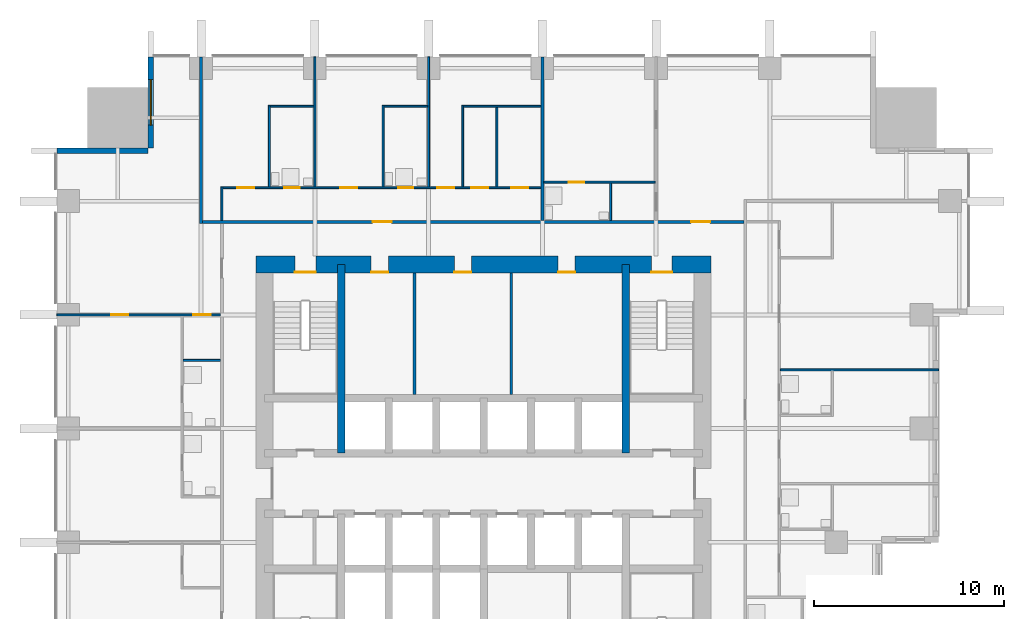
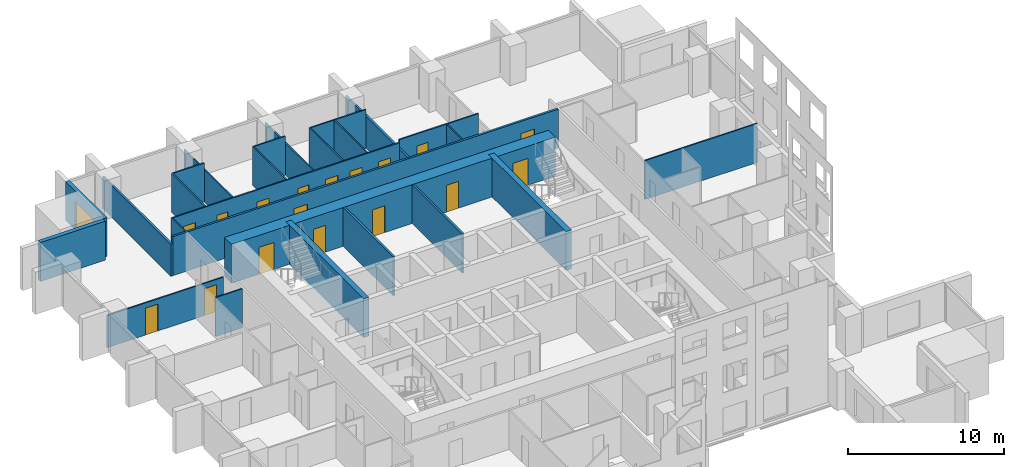
# One storey, part 7 of 11: 26 walls, 17 doors, 1 window, 18 openings.
"""IFC4 building model written with IfcOpenShell, lengths in metres."""

from ifc_helpers import new_model, si_unit, direction, frame, frame_2d, origin, place, context, subcontext, project, spatial, rectangle, extrude, material, layer, layer_set, type_object, element, fill, save


model = new_model("IFC4")

# Units and contexts
model_context = context("Model", 3, precision=1e-05, world=origin(), true_north=direction((0.0, 1.0)))
body_context = subcontext(model_context, "Body", "Model", "MODEL_VIEW")
ifc_project = project(units=[si_unit("LENGTHUNIT", "METRE"), si_unit("AREAUNIT", "SQUARE_METRE"), si_unit("VOLUMEUNIT", "CUBIC_METRE"), si_unit("PLANEANGLEUNIT", "RADIAN"), si_unit("MASSUNIT", "GRAM", prefix="KILO")], contexts=[model_context])

# Site, building, storey
site_placement = place(None, origin())
site = spatial("IfcSite", under=ifc_project, at=site_placement, CompositionType="ELEMENT")
building_placement = place(site_placement, origin())
building = spatial("IfcBuilding", under=site, at=building_placement, Name="Amberfall Residences", CompositionType="ELEMENT")
storey_placement = place(building_placement, frame((0.0, 0.0, 43.300048828125)))
storey = spatial("IfcBuildingStorey", under=building, at=storey_placement, Name="L11", CompositionType="ELEMENT", Elevation=43.300048828125)

# Wall, opening, window
ifc_material_1 = material(Name="Pale stone cladding on insulated backing", Category="masonry")
ifc_layer_1 = layer(ifc_material_1, 0.300048828125)
ifc_layer_set_1 = layer_set([ifc_layer_1], Name="Bronze clad wall 300")
wall_type_1 = type_object("IfcWallType", Name="Bronze clad wall 300", PredefinedType="SOLIDWALL", material=ifc_layer_set_1)
wall_1_placement = place(storey_placement, frame((56.949951171875, 68.0, 0.0), z_axis=(0.0, 0.0, 1.0), x_axis=(0.0, -1.0, 0.0)))
wall_1 = element("IfcWall", 1, at=wall_1_placement, inside=storey, type_object=wall_type_1, Name="External wall L11 NW", PredefinedType="SOLIDWALL", context=body_context, shape_type="SweptSolid", body=[
    extrude(rectangle(XDim=4.800048828125, YDim=0.300048828125, at=frame_2d((2.39990234375, 0.0))), origin(), (0.0, 0.0, 1.0), 3.050048828125),
])
opening_1_placement = place(wall_1_placement, frame((1.199951171875, 0.0, 0.14990234375)))
opening_1 = element("IfcOpeningElement", 2, at=opening_1_placement, cuts=wall_1, Name="Opening WN5", PredefinedType="OPENING", context=body_context, shape_type="SweptSolid", body=[
    extrude(rectangle(XDim=2.39990234375, YDim=2.10009765625, at=frame_2d((1.199951171875, 1.050048828125))), frame((0.0, 0.159912109375, 0.0), z_axis=(0.0, -1.0, 0.0), x_axis=(1.0, 0.0, 0.0)), (0.0, 0.0, 1.0), 0.320068359375),
])
ifc_material_2 = material(Name="Bronze aluminium framed glazing", Category="aluminium")
window_type = type_object("IfcWindowType", Name="Glazed opening 2400 x 2100 bronze", PartitioningType="DOUBLE_PANEL_VERTICAL", PredefinedType="WINDOW", material=ifc_material_2)
window_placement = place(opening_1_placement, origin())
window = element("IfcWindow", 3, at=window_placement, inside=storey, type_object=window_type, Name="Window L11 NW", OverallHeight=2.10009765625, OverallWidth=2.39990234375, PartitioningType="DOUBLE_PANEL_VERTICAL", PredefinedType="WINDOW", context=body_context, shape_type="SweptSolid", body=[
    extrude(rectangle(XDim=2.39990234375, YDim=2.10009765625, at=frame_2d((1.199951171875, 1.050048828125))), frame((0.0, 0.030029296875, 0.0), z_axis=(0.0, -1.0, 0.0), x_axis=(1.0, 0.0, 0.0)), (0.0, 0.0, 1.0), 0.06005859375),
])
fill(opening_1, window)

# Walls
wall_2_placement = place(storey_placement, frame((56.800048828125, 63.050048828125, 0.0), z_axis=(0.0, 0.0, 1.0), x_axis=(-1.0, 0.0, 0.0)))
element("IfcWall", 4, at=wall_2_placement, inside=storey, type_object=wall_type_1, Name="External wall L11 NW", PredefinedType="SOLIDWALL", context=body_context, shape_type="SweptSolid", body=[
    extrude(rectangle(XDim=4.800048828125, YDim=0.300048828125, at=frame_2d((2.39990234375, 0.0))), origin(), (0.0, 0.0, 1.0), 3.050048828125),
])
ifc_material_3 = material(Name="Concrete C80", Category="concrete")
ifc_layer_2 = layer(ifc_material_3, 0.39990234375)
ifc_layer_set_2 = layer_set([ifc_layer_2], Name="Core wall 400 C80")
wall_type_2 = type_object("IfcWallType", Name="Core wall 400 C80", PredefinedType="SHEAR", material=ifc_layer_set_2)
for number, where, z_axis, x_axis, name in (
    (5, (67.0, 47.10009765625, 0.0), (0.0, 0.0, 1.0), (0.0, 1.0, 0.0), "Core wall RW2 L11 V45N"),
    (6, (82.0, 47.10009765625, 0.0), (0.0, 0.0, 1.0), (0.0, 1.0, 0.0), "Core wall RW2 L11 V195N"),
):
    element("IfcWall", number, at=place(storey_placement, frame(where, z_axis=z_axis, x_axis=x_axis)), inside=storey, type_object=wall_type_2, Name=name, PredefinedType="SHEAR", context=body_context, shape_type="SweptSolid", body=[
        extrude(rectangle(XDim=9.949951171875, YDim=0.39990234375, at=frame_2d((4.97509765625, 0.0))), origin(), (0.0, 0.0, 1.0), 3.050048828125),
    ])

# Wall, openings, doors
ifc_layer_3 = layer(ifc_material_3, 0.89990234375)
ifc_layer_set_3 = layer_set([ifc_layer_3], Name="Core wall 900 C80")
wall_type_3 = type_object("IfcWallType", Name="Core wall 900 C80", PredefinedType="SHEAR", material=ifc_layer_set_3)
wall_3_placement = place(storey_placement, frame((62.5, 57.050048828125, 0.0), z_axis=(0.0, 0.0, 1.0), x_axis=(1.0, 0.0, 0.0)))
wall_3 = element("IfcWall", 7, at=wall_3_placement, inside=storey, type_object=wall_type_3, Name="Core wall RW1 L11 ON", PredefinedType="SHEAR", context=body_context, shape_type="SweptSolid", body=[
    extrude(rectangle(XDim=24.0, YDim=0.89990234375, at=frame_2d((12.0, 0.0))), origin(), (0.0, 0.0, 1.0), 3.050048828125),
])
opening_2_placement = place(wall_3_placement, frame((20.85009765625, 0.0, 0.0)))
opening_2 = element("IfcOpeningElement", 8, at=opening_2_placement, cuts=wall_3, Name="Opening SD1", PredefinedType="OPENING", context=body_context, shape_type="SweptSolid", body=[
    extrude(rectangle(XDim=1.10009765625, YDim=2.10009765625, at=frame_2d((0.550048828125, 1.050048828125))), frame((0.0, 0.4599609375, 0.0), z_axis=(0.0, -1.0, 0.0), x_axis=(1.0, 0.0, 0.0)), (0.0, 0.0, 1.0), 0.919921875),
])
opening_3_placement = place(wall_3_placement, frame((2.050048828125, 0.0, 0.0)))
opening_3 = element("IfcOpeningElement", 9, at=opening_3_placement, cuts=wall_3, Name="Opening SD1", PredefinedType="OPENING", context=body_context, shape_type="SweptSolid", body=[
    extrude(rectangle(XDim=1.10009765625, YDim=2.10009765625, at=frame_2d((0.550048828125, 1.050048828125))), frame((0.0, 0.4599609375, 0.0), z_axis=(0.0, -1.0, 0.0), x_axis=(1.0, 0.0, 0.0)), (0.0, 0.0, 1.0), 0.919921875),
])
opening_4_placement = place(wall_3_placement, frame((6.074951171875, 0.0, 0.0)))
opening_4 = element("IfcOpeningElement", 10, at=opening_4_placement, cuts=wall_3, Name="Opening RD1", PredefinedType="OPENING", context=body_context, shape_type="SweptSolid", body=[
    extrude(rectangle(XDim=0.89990234375, YDim=2.10009765625, at=frame_2d((0.449951171875, 1.050048828125))), frame((0.0, 0.4599609375, 0.0), z_axis=(0.0, -1.0, 0.0), x_axis=(1.0, 0.0, 0.0)), (0.0, 0.0, 1.0), 0.919921875),
])
opening_5_placement = place(wall_3_placement, frame((10.455078125, 0.0, 0.0)))
opening_5 = element("IfcOpeningElement", 11, at=opening_5_placement, cuts=wall_3, Name="Opening RD1", PredefinedType="OPENING", context=body_context, shape_type="SweptSolid", body=[
    extrude(rectangle(XDim=0.89990234375, YDim=2.10009765625, at=frame_2d((0.449951171875, 1.050048828125))), frame((0.0, 0.4599609375, 0.0), z_axis=(0.0, -1.0, 0.0), x_axis=(1.0, 0.0, 0.0)), (0.0, 0.0, 1.0), 0.919921875),
])
opening_6_placement = place(wall_3_placement, frame((15.929931640625, 0.0, 0.0)))
opening_6 = element("IfcOpeningElement", 12, at=opening_6_placement, cuts=wall_3, Name="Opening RD1", PredefinedType="OPENING", context=body_context, shape_type="SweptSolid", body=[
    extrude(rectangle(XDim=0.89990234375, YDim=2.10009765625, at=frame_2d((0.449951171875, 1.050048828125))), frame((0.0, 0.4599609375, 0.0), z_axis=(0.0, -1.0, 0.0), x_axis=(1.0, 0.0, 0.0)), (0.0, 0.0, 1.0), 0.919921875),
])
ifc_material_4 = material(Name="Steel fire door set", Category="steel")
door_type_1 = type_object("IfcDoorType", Name="Service room door 900 x 2100", OperationType="SINGLE_SWING_LEFT", PredefinedType="DOOR", material=ifc_material_4)
door_1_placement = place(opening_4_placement, origin())
door_1 = element("IfcDoor", 13, at=door_1_placement, inside=storey, type_object=door_type_1, Name="RD1 L11", OperationType="SINGLE_SWING_RIGHT", OverallHeight=2.10009765625, OverallWidth=0.89990234375, PredefinedType="DOOR", context=body_context, shape_type="SweptSolid", body=[
    extrude(rectangle(XDim=0.89990234375, YDim=2.10009765625, at=frame_2d((0.449951171875, 1.050048828125))), frame((0.0, -0.3876953125, 0.0), z_axis=(0.0, -1.0, 0.0), x_axis=(1.0, 0.0, 0.0)), (0.0, 0.0, 1.0), 0.050048828125),
])
fill(opening_4, door_1)
door_2_placement = place(opening_5_placement, origin())
door_2 = element("IfcDoor", 14, at=door_2_placement, inside=storey, type_object=door_type_1, Name="RD1 L11", OperationType="SINGLE_SWING_RIGHT", OverallHeight=2.10009765625, OverallWidth=0.89990234375, PredefinedType="DOOR", context=body_context, shape_type="SweptSolid", body=[
    extrude(rectangle(XDim=0.89990234375, YDim=2.10009765625, at=frame_2d((0.449951171875, 1.050048828125))), frame((0.0, -0.3876953125, 0.0), z_axis=(0.0, -1.0, 0.0), x_axis=(1.0, 0.0, 0.0)), (0.0, 0.0, 1.0), 0.050048828125),
])
fill(opening_5, door_2)
door_3_placement = place(opening_6_placement, origin())
door_3 = element("IfcDoor", 15, at=door_3_placement, inside=storey, type_object=door_type_1, Name="RD1 L11", OperationType="SINGLE_SWING_RIGHT", OverallHeight=2.10009765625, OverallWidth=0.89990234375, PredefinedType="DOOR", context=body_context, shape_type="SweptSolid", body=[
    extrude(rectangle(XDim=0.89990234375, YDim=2.10009765625, at=frame_2d((0.449951171875, 1.050048828125))), frame((0.0, -0.3876953125, 0.0), z_axis=(0.0, -1.0, 0.0), x_axis=(1.0, 0.0, 0.0)), (0.0, 0.0, 1.0), 0.050048828125),
])
fill(opening_6, door_3)
door_type_2 = type_object("IfcDoorType", Name="Stair door 1100 x 2100", OperationType="SINGLE_SWING_LEFT", PredefinedType="DOOR", material=ifc_material_4)
door_4_placement = place(opening_2_placement, origin())
door_4 = element("IfcDoor", 16, at=door_4_placement, inside=storey, type_object=door_type_2, Name="SD1 L11", OperationType="SINGLE_SWING_RIGHT", OverallHeight=2.10009765625, OverallWidth=1.10009765625, PredefinedType="DOOR", context=body_context, shape_type="SweptSolid", body=[
    extrude(rectangle(XDim=1.10009765625, YDim=2.10009765625, at=frame_2d((0.550048828125, 1.050048828125))), frame((0.0, -0.3876953125, 0.0), z_axis=(0.0, -1.0, 0.0), x_axis=(1.0, 0.0, 0.0)), (0.0, 0.0, 1.0), 0.050048828125),
])
fill(opening_2, door_4)
door_5_placement = place(opening_3_placement, origin())
door_5 = element("IfcDoor", 17, at=door_5_placement, inside=storey, type_object=door_type_2, Name="SD1 L11", OperationType="SINGLE_SWING_LEFT", OverallHeight=2.10009765625, OverallWidth=1.10009765625, PredefinedType="DOOR", context=body_context, shape_type="SweptSolid", body=[
    extrude(rectangle(XDim=1.10009765625, YDim=2.10009765625, at=frame_2d((0.550048828125, 1.050048828125))), frame((0.0, -0.3876953125, 0.0), z_axis=(0.0, -1.0, 0.0), x_axis=(1.0, 0.0, 0.0)), (0.0, 0.0, 1.0), 0.050048828125),
])
fill(opening_3, door_5)

# Walls
ifc_material_5 = material(Name="Gypsum board on metal stud")
ifc_layer_4 = layer(ifc_material_5, 0.10009765625)
ifc_layer_set_4 = layer_set([ifc_layer_4], Name="Flat partition 100")
wall_type_4 = type_object("IfcWallType", Name="Flat partition 100", PredefinedType="PARTITIONING", material=ifc_layer_set_4)
wall_4_placement = place(storey_placement, frame((60.699951171875, 59.375, 0.0), z_axis=(0.0, 0.0, 1.0), x_axis=(0.0, 1.0, 0.0)))
element("IfcWall", 18, at=wall_4_placement, inside=storey, type_object=wall_type_4, Name="Partition 004", PredefinedType="PARTITIONING", context=body_context, shape_type="SweptSolid", body=[
    extrude(rectangle(XDim=1.77490234375, YDim=0.10009765625, at=frame_2d((0.887451171875, 0.0))), origin(), (0.0, 0.0, 1.0), 3.050048828125),
])
wall_5_placement = place(storey_placement, frame((63.199951171875, 61.14990234375, 0.0), z_axis=(0.0, 0.0, 1.0), x_axis=(0.0, 1.0, 0.0)))
element("IfcWall", 19, at=wall_5_placement, inside=storey, type_object=wall_type_4, Name="Partition 005", PredefinedType="PARTITIONING", context=body_context, shape_type="SweptSolid", body=[
    extrude(rectangle(XDim=4.300048828125, YDim=0.10009765625, at=frame_2d((2.14990234375, 0.0))), origin(), (0.0, 0.0, 1.0), 3.050048828125),
])
wall_6_placement = place(storey_placement, frame((65.60009765625, 61.14990234375, 0.0), z_axis=(0.0, 0.0, 1.0), x_axis=(0.0, 1.0, 0.0)))
element("IfcWall", 20, at=wall_6_placement, inside=storey, type_object=wall_type_4, Name="Partition 006", PredefinedType="PARTITIONING", context=body_context, shape_type="SweptSolid", body=[
    extrude(rectangle(XDim=6.85009765625, YDim=0.10009765625, at=frame_2d((3.425048828125, 0.0))), origin(), (0.0, 0.0, 1.0), 2.515869140625),
])
wall_7_placement = place(storey_placement, frame((69.199951171875, 61.14990234375, 0.0), z_axis=(0.0, 0.0, 1.0), x_axis=(0.0, 1.0, 0.0)))
element("IfcWall", 21, at=wall_7_placement, inside=storey, type_object=wall_type_4, Name="Partition 008", PredefinedType="PARTITIONING", context=body_context, shape_type="SweptSolid", body=[
    extrude(rectangle(XDim=4.300048828125, YDim=0.10009765625, at=frame_2d((2.14990234375, 0.0))), origin(), (0.0, 0.0, 1.0), 3.050048828125),
])
wall_8_placement = place(storey_placement, frame((71.60009765625, 61.14990234375, 0.0), z_axis=(0.0, 0.0, 1.0), x_axis=(0.0, 1.0, 0.0)))
element("IfcWall", 22, at=wall_8_placement, inside=storey, type_object=wall_type_4, Name="Partition 010", PredefinedType="PARTITIONING", context=body_context, shape_type="SweptSolid", body=[
    extrude(rectangle(XDim=6.85009765625, YDim=0.10009765625, at=frame_2d((3.425048828125, 0.0))), origin(), (0.0, 0.0, 1.0), 2.515869140625),
])
wall_9_placement = place(storey_placement, frame((73.39990234375, 61.14990234375, 0.0), z_axis=(0.0, 0.0, 1.0), x_axis=(0.0, 1.0, 0.0)))
element("IfcWall", 23, at=wall_9_placement, inside=storey, type_object=wall_type_4, Name="Partition 011", PredefinedType="PARTITIONING", context=body_context, shape_type="SweptSolid", body=[
    extrude(rectangle(XDim=4.300048828125, YDim=0.10009765625, at=frame_2d((2.14990234375, 0.0))), origin(), (0.0, 0.0, 1.0), 3.050048828125),
])
wall_10_placement = place(storey_placement, frame((75.199951171875, 61.14990234375, 0.0), z_axis=(0.0, 0.0, 1.0), x_axis=(0.0, 1.0, 0.0)))
element("IfcWall", 24, at=wall_10_placement, inside=storey, type_object=wall_type_4, Name="Partition 012", PredefinedType="PARTITIONING", context=body_context, shape_type="SweptSolid", body=[
    extrude(rectangle(XDim=4.2001953125, YDim=0.10009765625, at=frame_2d((2.10009765625, 0.0))), origin(), (0.0, 0.0, 1.0), 3.050048828125),
])
wall_11_placement = place(storey_placement, frame((81.199951171875, 59.375, 0.0), z_axis=(0.0, 0.0, 1.0), x_axis=(0.0, 1.0, 0.0)))
element("IfcWall", 25, at=wall_11_placement, inside=storey, type_object=wall_type_4, Name="Partition 015", PredefinedType="PARTITIONING", context=body_context, shape_type="SweptSolid", body=[
    extrude(rectangle(XDim=1.97509765625, YDim=0.10009765625, at=frame_2d((0.987548828125, 0.0))), origin(), (0.0, 0.0, 1.0), 3.050048828125),
])
for number, where, z_axis, x_axis, name in (
    (26, (63.25, 65.39990234375, 0.0), (0.0, 0.0, 1.0), (1.0, 0.0, 0.0), "Partition 024"),
    (27, (69.25, 65.39990234375, 0.0), (0.0, 0.0, 1.0), (1.0, 0.0, 0.0), "Partition 025"),
):
    element("IfcWall", number, at=place(storey_placement, frame(where, z_axis=z_axis, x_axis=x_axis)), inside=storey, type_object=wall_type_4, Name=name, PredefinedType="PARTITIONING", context=body_context, shape_type="SweptSolid", body=[
        extrude(rectangle(XDim=2.300048828125, YDim=0.10009765625, at=frame_2d((1.14990234375, 0.0))), origin(), (0.0, 0.0, 1.0), 3.050048828125),
    ])
wall_12_placement = place(storey_placement, frame((73.449951171875, 65.39990234375, 0.0), z_axis=(0.0, 0.0, 1.0), x_axis=(1.0, 0.0, 0.0)))
element("IfcWall", 28, at=wall_12_placement, inside=storey, type_object=wall_type_4, Name="Partition 026", PredefinedType="PARTITIONING", context=body_context, shape_type="SweptSolid", body=[
    extrude(rectangle(XDim=4.074951171875, YDim=0.10009765625, at=frame_2d((2.03759765625, 0.0))), origin(), (0.0, 0.0, 1.0), 3.050048828125),
])

# Wall, opening, door
wall_13_placement = place(storey_placement, frame((83.550048828125, 61.39990234375, 0.0), z_axis=(0.0, 0.0, 1.0), x_axis=(-1.0, 0.0, 0.0)))
wall_13 = element("IfcWall", 29, at=wall_13_placement, inside=storey, type_object=wall_type_4, Name="Partition 027", PredefinedType="PARTITIONING", context=body_context, shape_type="SweptSolid", body=[
    extrude(rectangle(XDim=5.875, YDim=0.10009765625, at=frame_2d((2.9375, 0.0))), origin(), (0.0, 0.0, 1.0), 3.050048828125),
])
opening_7_placement = place(wall_13_placement, frame((3.75, 0.0, 0.0)))
opening_7 = element("IfcOpeningElement", 30, at=opening_7_placement, cuts=wall_13, Name="Opening D42", PredefinedType="OPENING", context=body_context, shape_type="SweptSolid", body=[
    extrude(rectangle(XDim=0.800048828125, YDim=2.10009765625, at=frame_2d((0.39990234375, 1.050048828125))), frame((0.0, 0.06005859375, 0.0), z_axis=(0.0, -1.0, 0.0), x_axis=(1.0, 0.0, 0.0)), (0.0, 0.0, 1.0), 0.1201171875),
])
ifc_material_6 = material(Name="Timber", Category="wood")
door_type_3 = type_object("IfcDoorType", Name="Bathroom door 800 x 2100", OperationType="SINGLE_SWING_LEFT", PredefinedType="DOOR", material=ifc_material_6)
door_6_placement = place(opening_7_placement, origin())
door_6 = element("IfcDoor", 31, at=door_6_placement, inside=storey, type_object=door_type_3, Name="Door 1106 bath1", OperationType="SINGLE_SWING_LEFT", OverallHeight=2.10009765625, OverallWidth=0.800048828125, PredefinedType="DOOR", context=body_context, shape_type="SweptSolid", body=[
    extrude(rectangle(XDim=0.800048828125, YDim=2.10009765625, at=frame_2d((0.39990234375, 1.050048828125))), frame((0.0, 0.02490234375, 0.0), z_axis=(0.0, -1.0, 0.0), x_axis=(1.0, 0.0, 0.0)), (0.0, 0.0, 1.0), 0.050048828125),
])
fill(opening_7, door_6)

# Wall, openings, doors
wall_14_placement = place(storey_placement, frame((60.75, 61.10009765625, 0.0), z_axis=(0.0, 0.0, 1.0), x_axis=(1.0, 0.0, 0.0)))
wall_14 = element("IfcWall", 32, at=wall_14_placement, inside=storey, type_object=wall_type_4, Name="Partition 028", PredefinedType="PARTITIONING", context=body_context, shape_type="SweptSolid", body=[
    extrude(rectangle(XDim=16.77490234375, YDim=0.10009765625, at=frame_2d((8.387451171875, 0.0))), origin(), (0.0, 0.0, 1.0), 3.050048828125),
])
opening_8_placement = place(wall_14_placement, frame((11.300048828125, 0.0, 0.0)))
opening_8 = element("IfcOpeningElement", 33, at=opening_8_placement, cuts=wall_14, Name="Opening D41", PredefinedType="OPENING", context=body_context, shape_type="SweptSolid", body=[
    extrude(rectangle(XDim=0.89990234375, YDim=2.10009765625, at=frame_2d((0.449951171875, 1.050048828125))), frame((0.0, 0.06005859375, 0.0), z_axis=(0.0, -1.0, 0.0), x_axis=(1.0, 0.0, 0.0)), (0.0, 0.0, 1.0), 0.1201171875),
])
opening_9_placement = place(wall_14_placement, frame((15.199951171875, 0.0, 0.0)))
opening_9 = element("IfcOpeningElement", 34, at=opening_9_placement, cuts=wall_14, Name="Opening D41", PredefinedType="OPENING", context=body_context, shape_type="SweptSolid", body=[
    extrude(rectangle(XDim=0.89990234375, YDim=2.10009765625, at=frame_2d((0.449951171875, 1.050048828125))), frame((0.0, 0.06005859375, 0.0), z_axis=(0.0, -1.0, 0.0), x_axis=(1.0, 0.0, 0.0)), (0.0, 0.0, 1.0), 0.1201171875),
])
opening_10_placement = place(wall_14_placement, frame((13.10009765625, 0.0, 0.0)))
opening_10 = element("IfcOpeningElement", 35, at=opening_10_placement, cuts=wall_14, Name="Opening D41", PredefinedType="OPENING", context=body_context, shape_type="SweptSolid", body=[
    extrude(rectangle(XDim=0.89990234375, YDim=2.10009765625, at=frame_2d((0.449951171875, 1.050048828125))), frame((0.0, 0.06005859375, 0.0), z_axis=(0.0, -1.0, 0.0), x_axis=(1.0, 0.0, 0.0)), (0.0, 0.0, 1.0), 0.1201171875),
])
opening_11_placement = place(wall_14_placement, frame((0.75, 0.0, 0.0)))
opening_11 = element("IfcOpeningElement", 36, at=opening_11_placement, cuts=wall_14, Name="Opening D41", PredefinedType="OPENING", context=body_context, shape_type="SweptSolid", body=[
    extrude(rectangle(XDim=0.89990234375, YDim=2.10009765625, at=frame_2d((0.449951171875, 1.050048828125))), frame((0.0, 0.06005859375, 0.0), z_axis=(0.0, -1.0, 0.0), x_axis=(1.0, 0.0, 0.0)), (0.0, 0.0, 1.0), 0.1201171875),
])
opening_12_placement = place(wall_14_placement, frame((6.199951171875, 0.0, 0.0)))
opening_12 = element("IfcOpeningElement", 37, at=opening_12_placement, cuts=wall_14, Name="Opening D41", PredefinedType="OPENING", context=body_context, shape_type="SweptSolid", body=[
    extrude(rectangle(XDim=0.89990234375, YDim=2.10009765625, at=frame_2d((0.449951171875, 1.050048828125))), frame((0.0, 0.06005859375, 0.0), z_axis=(0.0, -1.0, 0.0), x_axis=(1.0, 0.0, 0.0)), (0.0, 0.0, 1.0), 0.1201171875),
])
opening_13_placement = place(wall_14_placement, frame((3.25, 0.0, 0.0)))
opening_13 = element("IfcOpeningElement", 38, at=opening_13_placement, cuts=wall_14, Name="Opening D42", PredefinedType="OPENING", context=body_context, shape_type="SweptSolid", body=[
    extrude(rectangle(XDim=0.800048828125, YDim=2.10009765625, at=frame_2d((0.39990234375, 1.050048828125))), frame((0.0, 0.06005859375, 0.0), z_axis=(0.0, -1.0, 0.0), x_axis=(1.0, 0.0, 0.0)), (0.0, 0.0, 1.0), 0.1201171875),
])
opening_14_placement = place(wall_14_placement, frame((9.25, 0.0, 0.0)))
opening_14 = element("IfcOpeningElement", 39, at=opening_14_placement, cuts=wall_14, Name="Opening D42", PredefinedType="OPENING", context=body_context, shape_type="SweptSolid", body=[
    extrude(rectangle(XDim=0.800048828125, YDim=2.10009765625, at=frame_2d((0.39990234375, 1.050048828125))), frame((0.0, 0.06005859375, 0.0), z_axis=(0.0, -1.0, 0.0), x_axis=(1.0, 0.0, 0.0)), (0.0, 0.0, 1.0), 0.1201171875),
])
door_7_placement = place(opening_13_placement, origin())
door_7 = element("IfcDoor", 40, at=door_7_placement, inside=storey, type_object=door_type_3, Name="Door 1105 bath1", OperationType="SINGLE_SWING_LEFT", OverallHeight=2.10009765625, OverallWidth=0.800048828125, PredefinedType="DOOR", context=body_context, shape_type="SweptSolid", body=[
    extrude(rectangle(XDim=0.800048828125, YDim=2.10009765625, at=frame_2d((0.39990234375, 1.050048828125))), frame((0.0, 0.02490234375, 0.0), z_axis=(0.0, -1.0, 0.0), x_axis=(1.0, 0.0, 0.0)), (0.0, 0.0, 1.0), 0.050048828125),
])
fill(opening_13, door_7)
door_8_placement = place(opening_14_placement, origin())
door_8 = element("IfcDoor", 41, at=door_8_placement, inside=storey, type_object=door_type_3, Name="Door 1105 bath2", OperationType="SINGLE_SWING_LEFT", OverallHeight=2.10009765625, OverallWidth=0.800048828125, PredefinedType="DOOR", context=body_context, shape_type="SweptSolid", body=[
    extrude(rectangle(XDim=0.800048828125, YDim=2.10009765625, at=frame_2d((0.39990234375, 1.050048828125))), frame((0.0, 0.02490234375, 0.0), z_axis=(0.0, -1.0, 0.0), x_axis=(1.0, 0.0, 0.0)), (0.0, 0.0, 1.0), 0.050048828125),
])
fill(opening_14, door_8)
door_type_4 = type_object("IfcDoorType", Name="Internal door 900 x 2100", OperationType="SINGLE_SWING_LEFT", PredefinedType="DOOR", material=ifc_material_6)
door_9_placement = place(opening_8_placement, origin())
door_9 = element("IfcDoor", 42, at=door_9_placement, inside=storey, type_object=door_type_4, Name="Door 1105 living", OperationType="SINGLE_SWING_LEFT", OverallHeight=2.10009765625, OverallWidth=0.89990234375, PredefinedType="DOOR", context=body_context, shape_type="SweptSolid", body=[
    extrude(rectangle(XDim=0.89990234375, YDim=2.10009765625, at=frame_2d((0.449951171875, 1.050048828125))), frame((0.0, 0.02490234375, 0.0), z_axis=(0.0, -1.0, 0.0), x_axis=(1.0, 0.0, 0.0)), (0.0, 0.0, 1.0), 0.050048828125),
])
fill(opening_8, door_9)
door_10_placement = place(opening_9_placement, origin())
door_10 = element("IfcDoor", 43, at=door_10_placement, inside=storey, type_object=door_type_4, Name="Door 1105 kitchen", OperationType="SINGLE_SWING_LEFT", OverallHeight=2.10009765625, OverallWidth=0.89990234375, PredefinedType="DOOR", context=body_context, shape_type="SweptSolid", body=[
    extrude(rectangle(XDim=0.89990234375, YDim=2.10009765625, at=frame_2d((0.449951171875, 1.050048828125))), frame((0.0, 0.02490234375, 0.0), z_axis=(0.0, -1.0, 0.0), x_axis=(1.0, 0.0, 0.0)), (0.0, 0.0, 1.0), 0.050048828125),
])
fill(opening_9, door_10)
door_11_placement = place(opening_10_placement, origin())
door_11 = element("IfcDoor", 44, at=door_11_placement, inside=storey, type_object=door_type_4, Name="Door 1105 utility", OperationType="SINGLE_SWING_LEFT", OverallHeight=2.10009765625, OverallWidth=0.89990234375, PredefinedType="DOOR", context=body_context, shape_type="SweptSolid", body=[
    extrude(rectangle(XDim=0.89990234375, YDim=2.10009765625, at=frame_2d((0.449951171875, 1.050048828125))), frame((0.0, 0.02490234375, 0.0), z_axis=(0.0, -1.0, 0.0), x_axis=(1.0, 0.0, 0.0)), (0.0, 0.0, 1.0), 0.050048828125),
])
fill(opening_10, door_11)
door_12_placement = place(opening_11_placement, origin())
door_12 = element("IfcDoor", 45, at=door_12_placement, inside=storey, type_object=door_type_4, Name="Door 1105 bedroom1", OperationType="SINGLE_SWING_LEFT", OverallHeight=2.10009765625, OverallWidth=0.89990234375, PredefinedType="DOOR", context=body_context, shape_type="SweptSolid", body=[
    extrude(rectangle(XDim=0.89990234375, YDim=2.10009765625, at=frame_2d((0.449951171875, 1.050048828125))), frame((0.0, 0.02490234375, 0.0), z_axis=(0.0, -1.0, 0.0), x_axis=(1.0, 0.0, 0.0)), (0.0, 0.0, 1.0), 0.050048828125),
])
fill(opening_11, door_12)
door_13_placement = place(opening_12_placement, origin())
door_13 = element("IfcDoor", 46, at=door_13_placement, inside=storey, type_object=door_type_4, Name="Door 1105 bedroom2", OperationType="SINGLE_SWING_LEFT", OverallHeight=2.10009765625, OverallWidth=0.89990234375, PredefinedType="DOOR", context=body_context, shape_type="SweptSolid", body=[
    extrude(rectangle(XDim=0.89990234375, YDim=2.10009765625, at=frame_2d((0.449951171875, 1.050048828125))), frame((0.0, 0.02490234375, 0.0), z_axis=(0.0, -1.0, 0.0), x_axis=(1.0, 0.0, 0.0)), (0.0, 0.0, 1.0), 0.050048828125),
])
fill(opening_12, door_13)

wall_15_placement = place(storey_placement, frame((60.625, 54.39990234375, 0.0), z_axis=(0.0, 0.0, 1.0), x_axis=(-1.0, 0.0, 0.0)))
wall_15 = element("IfcWall", 47, at=wall_15_placement, inside=storey, type_object=wall_type_4, Name="Partition 031", PredefinedType="PARTITIONING", context=body_context, shape_type="SweptSolid", body=[
    extrude(rectangle(XDim=8.625, YDim=0.10009765625, at=frame_2d((4.3125, 0.0))), origin(), (0.0, 0.0, 1.0), 2.515869140625),
])
opening_15_placement = place(wall_15_placement, frame((0.52490234375, 0.0, 0.0)))
opening_15 = element("IfcOpeningElement", 48, at=opening_15_placement, cuts=wall_15, Name="Opening D41", PredefinedType="OPENING", context=body_context, shape_type="SweptSolid", body=[
    extrude(rectangle(XDim=0.89990234375, YDim=2.10009765625, at=frame_2d((0.449951171875, 1.050048828125))), frame((0.0, 0.06005859375, 0.0), z_axis=(0.0, -1.0, 0.0), x_axis=(1.0, 0.0, 0.0)), (0.0, 0.0, 1.0), 0.1201171875),
])
opening_16_placement = place(wall_15_placement, frame((4.875, 0.0, 0.0)))
opening_16 = element("IfcOpeningElement", 49, at=opening_16_placement, cuts=wall_15, Name="Opening D41", PredefinedType="OPENING", context=body_context, shape_type="SweptSolid", body=[
    extrude(rectangle(XDim=0.89990234375, YDim=2.10009765625, at=frame_2d((0.449951171875, 1.050048828125))), frame((0.0, 0.06005859375, 0.0), z_axis=(0.0, -1.0, 0.0), x_axis=(1.0, 0.0, 0.0)), (0.0, 0.0, 1.0), 0.1201171875),
])
door_14_placement = place(opening_15_placement, origin())
door_14 = element("IfcDoor", 50, at=door_14_placement, inside=storey, type_object=door_type_4, Name="Door 1108 kitchen", OperationType="SINGLE_SWING_LEFT", OverallHeight=2.10009765625, OverallWidth=0.89990234375, PredefinedType="DOOR", context=body_context, shape_type="SweptSolid", body=[
    extrude(rectangle(XDim=0.89990234375, YDim=2.10009765625, at=frame_2d((0.449951171875, 1.050048828125))), frame((0.0, 0.02490234375, 0.0), z_axis=(0.0, -1.0, 0.0), x_axis=(1.0, 0.0, 0.0)), (0.0, 0.0, 1.0), 0.050048828125),
])
fill(opening_15, door_14)
door_15_placement = place(opening_16_placement, origin())
door_15 = element("IfcDoor", 51, at=door_15_placement, inside=storey, type_object=door_type_4, Name="Door 1108 bedroom1", OperationType="SINGLE_SWING_LEFT", OverallHeight=2.10009765625, OverallWidth=0.89990234375, PredefinedType="DOOR", context=body_context, shape_type="SweptSolid", body=[
    extrude(rectangle(XDim=0.89990234375, YDim=2.10009765625, at=frame_2d((0.449951171875, 1.050048828125))), frame((0.0, 0.02490234375, 0.0), z_axis=(0.0, -1.0, 0.0), x_axis=(1.0, 0.0, 0.0)), (0.0, 0.0, 1.0), 0.050048828125),
])
fill(opening_16, door_15)

# Walls
wall_16_placement = place(storey_placement, frame((58.64990234375, 52.0, 0.0), z_axis=(0.0, 0.0, 1.0), x_axis=(1.0, 0.0, 0.0)))
element("IfcWall", 52, at=wall_16_placement, inside=storey, type_object=wall_type_4, Name="Partition 032", PredefinedType="PARTITIONING", context=body_context, shape_type="SweptSolid", body=[
    extrude(rectangle(XDim=1.97509765625, YDim=0.10009765625, at=frame_2d((0.987548828125, 0.0))), origin(), (0.0, 0.0, 1.0), 3.050048828125),
])
wall_17_placement = place(storey_placement, frame((90.14990234375, 51.5, 0.0), z_axis=(0.0, 0.0, 1.0), x_axis=(1.0, 0.0, 0.0)))
element("IfcWall", 53, at=wall_17_placement, inside=storey, type_object=wall_type_4, Name="Partition 033", PredefinedType="PARTITIONING", context=body_context, shape_type="SweptSolid", body=[
    extrude(rectangle(XDim=8.35009765625, YDim=0.10009765625, at=frame_2d((4.175048828125, 0.0))), origin(), (0.0, 0.0, 1.0), 3.050048828125),
])
ifc_material_7 = material(Name="Blockwork, plastered", Category="masonry")
ifc_layer_5 = layer(ifc_material_7, 0.14990234375)
ifc_layer_set_5 = layer_set([ifc_layer_5], Name="Flat separating wall 150")
wall_type_5 = type_object("IfcWallType", Name="Flat separating wall 150", PredefinedType="PARTITIONING", material=ifc_layer_set_5)
wall_18_placement = place(storey_placement, frame((59.60009765625, 59.22509765625, 0.0), z_axis=(0.0, 0.0, 1.0), x_axis=(0.0, 1.0, 0.0)))
element("IfcWall", 54, at=wall_18_placement, inside=storey, type_object=wall_type_5, Name="Separating wall 047", PredefinedType="PARTITIONING", context=body_context, shape_type="SweptSolid", body=[
    extrude(rectangle(XDim=8.77490234375, YDim=0.14990234375, at=frame_2d((4.387451171875, 0.0))), origin(), (0.0, 0.0, 1.0), 2.510009765625),
])
wall_19_placement = place(storey_placement, frame((77.60009765625, 59.375, 0.0), z_axis=(0.0, 0.0, 1.0), x_axis=(0.0, 1.0, 0.0)))
element("IfcWall", 55, at=wall_19_placement, inside=storey, type_object=wall_type_5, Name="Separating wall 050", PredefinedType="PARTITIONING", context=body_context, shape_type="SweptSolid", body=[
    extrude(rectangle(XDim=8.625, YDim=0.14990234375, at=frame_2d((4.3125, 0.0))), origin(), (0.0, 0.0, 1.0), 2.515869140625),
])

# Wall, openings, doors
wall_20_placement = place(storey_placement, frame((59.675048828125, 59.300048828125, 0.0), z_axis=(0.0, 0.0, 1.0), x_axis=(1.0, 0.0, 0.0)))
wall_20 = element("IfcWall", 56, at=wall_20_placement, inside=storey, type_object=wall_type_5, Name="Separating wall 054", PredefinedType="PARTITIONING", context=body_context, shape_type="SweptSolid", body=[
    extrude(rectangle(XDim=28.550048828125, YDim=0.14990234375, at=frame_2d((14.27490234375, 0.0))), origin(), (0.0, 0.0, 1.0), 3.050048828125),
])
opening_17_placement = place(wall_20_placement, frame((8.97509765625, 0.0, 0.0)))
opening_17 = element("IfcOpeningElement", 57, at=opening_17_placement, cuts=wall_20, Name="Opening D40", PredefinedType="OPENING", context=body_context, shape_type="SweptSolid", body=[
    extrude(rectangle(XDim=1.0, YDim=2.10009765625, at=frame_2d((0.5, 1.050048828125))), frame((0.0, 0.0849609375, 0.0), z_axis=(0.0, -1.0, 0.0), x_axis=(1.0, 0.0, 0.0)), (0.0, 0.0, 1.0), 0.169921875),
])
opening_18_placement = place(wall_20_placement, frame((25.77490234375, 0.0, 0.0)))
opening_18 = element("IfcOpeningElement", 58, at=opening_18_placement, cuts=wall_20, Name="Opening D40", PredefinedType="OPENING", context=body_context, shape_type="SweptSolid", body=[
    extrude(rectangle(XDim=1.0, YDim=2.10009765625, at=frame_2d((0.5, 1.050048828125))), frame((0.0, 0.0849609375, 0.0), z_axis=(0.0, -1.0, 0.0), x_axis=(1.0, 0.0, 0.0)), (0.0, 0.0, 1.0), 0.169921875),
])
ifc_material_8 = material(Name="Timber, fire-rated", Category="wood")
door_type_5 = type_object("IfcDoorType", Name="Flat entrance door FD60 1000 x 2100", OperationType="SINGLE_SWING_LEFT", PredefinedType="DOOR", material=ifc_material_8)
door_16_placement = place(opening_17_placement, origin())
door_16 = element("IfcDoor", 59, at=door_16_placement, inside=storey, type_object=door_type_5, Name="Door 1105 entrance", OperationType="SINGLE_SWING_LEFT", OverallHeight=2.10009765625, OverallWidth=1.0, PredefinedType="DOOR", context=body_context, shape_type="SweptSolid", body=[
    extrude(rectangle(XDim=1.0, YDim=2.10009765625, at=frame_2d((0.5, 1.050048828125))), frame((0.0, 0.02490234375, 0.0), z_axis=(0.0, -1.0, 0.0), x_axis=(1.0, 0.0, 0.0)), (0.0, 0.0, 1.0), 0.050048828125),
])
fill(opening_17, door_16)
door_17_placement = place(opening_18_placement, origin())
door_17 = element("IfcDoor", 60, at=door_17_placement, inside=storey, type_object=door_type_5, Name="Door 1106 entrance", OperationType="SINGLE_SWING_LEFT", OverallHeight=2.10009765625, OverallWidth=1.0, PredefinedType="DOOR", context=body_context, shape_type="SweptSolid", body=[
    extrude(rectangle(XDim=1.0, YDim=2.10009765625, at=frame_2d((0.5, 1.050048828125))), frame((0.0, 0.02490234375, 0.0), z_axis=(0.0, -1.0, 0.0), x_axis=(1.0, 0.0, 0.0)), (0.0, 0.0, 1.0), 0.050048828125),
])
fill(opening_18, door_17)

# Walls
ifc_material_9 = material(Name="Concrete blockwork", Category="masonry")
ifc_layer_6 = layer(ifc_material_9, 0.14990234375)
ifc_layer_set_6 = layer_set([ifc_layer_6], Name="Riser wall 150")
wall_type_6 = type_object("IfcWallType", Name="Riser wall 150", PredefinedType="PLUMBINGWALL", material=ifc_layer_set_6)
for number, where, z_axis, x_axis, name in (
    (61, (70.85009765625, 50.199951171875, 0.0), (0.0, 0.0, 1.0), (0.0, 1.0, 0.0), "L11 core wall N0"),
    (62, (75.9599609375, 50.199951171875, 0.0), (0.0, 0.0, 1.0), (0.0, 1.0, 0.0), "L11 core wall N1"),
):
    element("IfcWall", number, at=place(storey_placement, frame(where, z_axis=z_axis, x_axis=x_axis)), inside=storey, type_object=wall_type_6, Name=name, PredefinedType="PLUMBINGWALL", context=body_context, shape_type="SweptSolid", body=[
        extrude(rectangle(XDim=6.400146484375, YDim=0.14990234375, at=frame_2d((3.2001953125, 0.0))), origin(), (0.0, 0.0, 1.0), 3.050048828125),
    ])

save(model, "model.ifc")
